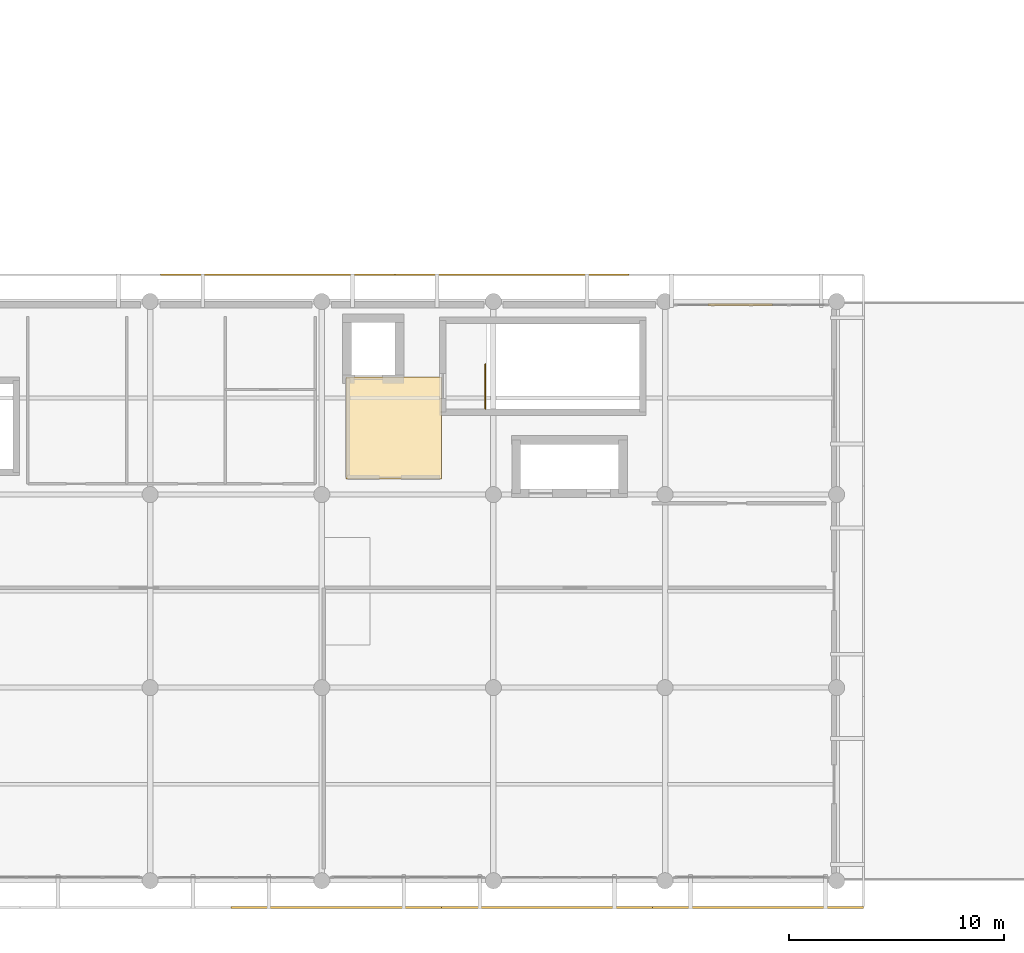
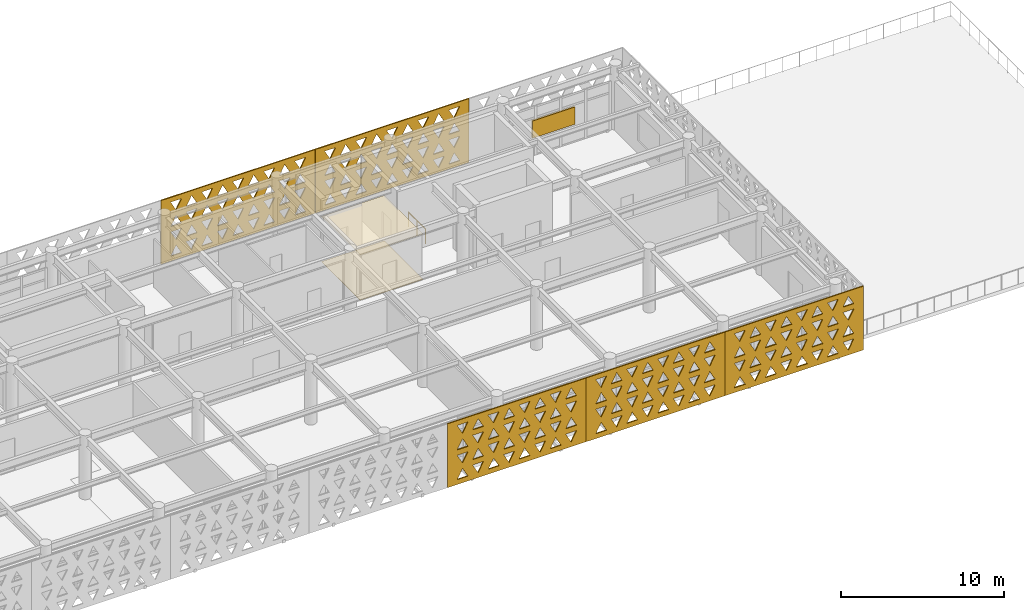
# One storey, part 25 of 26: 7 coverings, 1 railing, 1 shading device.
"""IFC4 building model written with IfcOpenShell, lengths in metres."""

from ifc_helpers import new_model, si_unit, direction, frame, origin, origin_2d, place, context, subcontext, project, spatial, polyline, rectangle, circle, outline, extrude, material, layer, layer_set, type_object, element, save


model = new_model("IFC4")

# Units and contexts
model_context = context("Model", 3, precision=1e-05, world=origin(), true_north=direction((0.0, 1.0)))
body_context = subcontext(model_context, "Body", "Model", "MODEL_VIEW")
ifc_project = project(units=[si_unit("LENGTHUNIT", "METRE"), si_unit("AREAUNIT", "SQUARE_METRE"), si_unit("VOLUMEUNIT", "CUBIC_METRE"), si_unit("PLANEANGLEUNIT", "RADIAN"), si_unit("MASSUNIT", "GRAM", prefix="KILO")], contexts=[model_context])

# Site, building, storey
site_placement = place(None, origin())
site = spatial("IfcSite", under=ifc_project, at=site_placement, CompositionType="ELEMENT")
building_placement = place(site_placement, origin())
building = spatial("IfcBuilding", under=site, at=building_placement, Name="Tlacozan Convention Centre", CompositionType="ELEMENT")
storey_placement = place(building_placement, frame((0.0, 0.0, 21.0)))
storey = spatial("IfcBuildingStorey", under=building, at=storey_placement, Name="L04", CompositionType="ELEMENT", Elevation=21.0)

# Covering
ifc_material_1 = material(Name="Perforated Acoustic Mineral Fibre Ceiling")
ifc_layer_1 = layer(ifc_material_1, 0.02490234375)
ifc_layer_set_1 = layer_set([ifc_layer_1], Name="Perforated Acoustic Mineral Fibre Ceiling")
covering_type_1 = type_object("IfcCoveringType", Name="Acoustic Mineral Fibre Ceiling 25", PredefinedType="CEILING", material=ifc_layer_set_1)
covering_1_placement = place(storey_placement, frame((0.0, 0.0, 3.39990234375)))
element("IfcCovering", 1, at=covering_1_placement, inside=storey, type_object=covering_type_1, Name="L04 Acoustic Ceiling L04-FFL-2", PredefinedType="CEILING", context=body_context, shape_type="SweptSolid", body=[
    extrude(outline(polyline([(73.1201171875, 18.719970703125), (77.580078125, 18.719970703125), (77.580078125, 23.47998046875), (73.1201171875, 23.47998046875), (73.1201171875, 18.719970703125)])), origin(), (0.0, 0.0, 1.0), 0.025146484375),
])

# Shading device
ifc_material_2 = material(Name="Dark Bronze Anodised Aluminium", Category="aluminium")
ifc_layer_2 = layer(ifc_material_2, 0.1201171875)
ifc_layer_set_2 = layer_set([ifc_layer_2], Name="Dark Bronze Anodised Aluminium")
shading_device_type = type_object("IfcShadingDeviceType", Name="Acoustic Plant Louvre Bank", PredefinedType="JALOUSIE", material=ifc_layer_set_2)
shading_device_placement = place(storey_placement, frame((91.5, 26.840087890625, 1.35009765625), z_axis=(0.0, 0.0, 1.0), x_axis=(1.0, 0.0, 0.0)))
element("IfcShadingDevice", 2, at=shading_device_placement, inside=storey, type_object=shading_device_type, Name="L04 Acoustic Plant Louvre 1", PredefinedType="JALOUSIE", context=body_context, shape_type="SweptSolid", body=[
    extrude(rectangle(XDim=3.0, YDim=0.1201171875, at=origin_2d()), origin(), (0.0, 0.0, 1.0), 1.300048828125),
])

# Covering
ifc_material_3 = material(Name="Polished Basalt Terrazzo Flooring", Category="masonry")
ifc_layer_3 = layer(ifc_material_3, 0.02001953125)
ifc_layer_set_3 = layer_set([ifc_layer_3], Name="Polished Basalt Terrazzo Flooring")
covering_type_2 = type_object("IfcCoveringType", Name="Polished Basalt Terrazzo Flooring 20", PredefinedType="FLOORING", material=ifc_layer_set_3)
covering_2_placement = place(storey_placement, origin())
element("IfcCovering", 3, at=covering_2_placement, inside=storey, type_object=covering_type_2, Name="L04 Terrazzo Flooring L04-FFL-2", PredefinedType="FLOORING", context=body_context, shape_type="SweptSolid", body=[
    extrude(outline(polyline([(73.1201171875, 18.719970703125), (77.580078125, 18.719970703125), (77.580078125, 23.47998046875), (73.1201171875, 23.47998046875), (73.1201171875, 18.719970703125)])), origin(), (0.0, 0.0, 1.0), 0.02001953125),
])

# Railing
ifc_material_4 = material(Name="Architectural Painted Galvanised Steel Railing", Category="steel")
railing_type = type_object("IfcRailingType", Name="Stair Well Guardrail 1100", PredefinedType="GUARDRAIL", material=ifc_material_4)
railing_placement = place(storey_placement, frame((79.6298828125, 22.0, 0.0)))
element("IfcRailing", 4, at=railing_placement, inside=storey, type_object=railing_type, Name="L04 ST-02 top well guard 1", PredefinedType="GUARDRAIL", context=body_context, shape_type="SweptSolid", body=[
    extrude(circle(Radius=0.02392578125, at=origin_2d()), frame((0.0, 0.0, 1.076171875), z_axis=(0.0, 1.0, 0.0), x_axis=(-1.0, 0.0, 0.0)), (0.0, 0.0, 1.0), 2.080078125),
    extrude(circle(Radius=0.02099609375, at=origin_2d()), origin(), (0.0, 0.0, 1.0), 1.052001953125),
    extrude(circle(Radius=0.02099609375, at=origin_2d()), frame((0.0, 1.0400390625, 0.0)), (0.0, 0.0, 1.0), 1.052001953125),
    extrude(circle(Radius=0.02099609375, at=origin_2d()), frame((0.0, 2.080078125, 0.0)), (0.0, 0.0, 1.0), 1.052001953125),
])

# Coverings
ifc_material_5 = material(Name="Toluca Fired Terracotta Masonry Solar Screen", Category="masonry")
ifc_layer_4 = layer(ifc_material_5, 0.080078125)
ifc_layer_set_4 = layer_set([ifc_layer_4], Name="Toluca Fired Terracotta Masonry Solar Screen")
covering_type_3 = type_object("IfcCoveringType", Name="Terracotta Triangle Solar Screen 80", PredefinedType="USERDEFINED", material=ifc_layer_set_4)
covering_3_placement = place(storey_placement, frame((67.761962890625, -1.25, -0.030029296875), z_axis=(0.0, 0.0, 1.0), x_axis=(1.0, 0.0, 0.0)))
element("IfcCovering", 5, at=covering_3_placement, inside=storey, type_object=covering_type_3, Name="L04 Terracotta Triangle Screen 84", ObjectType="SCREEN", PredefinedType="USERDEFINED", context=body_context, shape_type="SweptSolid", body=[
    extrude(outline(polyline([(0.0, 0.0), (9.825927734375, 0.0), (9.825927734375, 4.780029296875), (0.0, 4.780029296875), (0.0, 0.0)]), holes=[polyline([(0.677001953125, 0.360107421875), (1.448974609375, 0.360107421875), (1.06298828125, 1.074951171875), (0.677001953125, 0.360107421875)]), polyline([(1.77685546875, 1.074951171875), (2.549072265625, 1.074951171875), (2.1630859375, 0.360107421875), (1.77685546875, 1.074951171875)]), polyline([(2.876953125, 0.360107421875), (3.64892578125, 0.360107421875), (3.262939453125, 1.074951171875), (2.876953125, 0.360107421875)]), polyline([(3.97705078125, 1.074951171875), (4.7490234375, 1.074951171875), (4.363037109375, 0.360107421875), (3.97705078125, 1.074951171875)]), polyline([(5.076904296875, 0.360107421875), (5.848876953125, 0.360107421875), (5.462890625, 1.074951171875), (5.076904296875, 0.360107421875)]), polyline([(6.177001953125, 1.074951171875), (6.948974609375, 1.074951171875), (6.56298828125, 0.360107421875), (6.177001953125, 1.074951171875)]), polyline([(7.27685546875, 0.360107421875), (8.049072265625, 0.360107421875), (7.6630859375, 1.074951171875), (7.27685546875, 0.360107421875)]), polyline([(8.376953125, 1.074951171875), (9.14892578125, 1.074951171875), (8.762939453125, 0.360107421875), (8.376953125, 1.074951171875)]), polyline([(0.677001953125, 2.18994140625), (1.448974609375, 2.18994140625), (1.06298828125, 1.47509765625), (0.677001953125, 2.18994140625)]), polyline([(1.77685546875, 1.47509765625), (2.549072265625, 1.47509765625), (2.1630859375, 2.18994140625), (1.77685546875, 1.47509765625)]), polyline([(2.876953125, 2.18994140625), (3.64892578125, 2.18994140625), (3.262939453125, 1.47509765625), (2.876953125, 2.18994140625)]), polyline([(3.97705078125, 1.47509765625), (4.7490234375, 1.47509765625), (4.363037109375, 2.18994140625), (3.97705078125, 1.47509765625)]), polyline([(5.076904296875, 2.18994140625), (5.848876953125, 2.18994140625), (5.462890625, 1.47509765625), (5.076904296875, 2.18994140625)]), polyline([(6.177001953125, 1.47509765625), (6.948974609375, 1.47509765625), (6.56298828125, 2.18994140625), (6.177001953125, 1.47509765625)]), polyline([(7.27685546875, 2.18994140625), (8.049072265625, 2.18994140625), (7.6630859375, 1.47509765625), (7.27685546875, 2.18994140625)]), polyline([(8.376953125, 1.47509765625), (9.14892578125, 1.47509765625), (8.762939453125, 2.18994140625), (8.376953125, 1.47509765625)]), polyline([(0.677001953125, 2.590087890625), (1.448974609375, 2.590087890625), (1.06298828125, 3.304931640625), (0.677001953125, 2.590087890625)]), polyline([(1.77685546875, 3.304931640625), (2.549072265625, 3.304931640625), (2.1630859375, 2.590087890625), (1.77685546875, 3.304931640625)]), polyline([(2.876953125, 2.590087890625), (3.64892578125, 2.590087890625), (3.262939453125, 3.304931640625), (2.876953125, 2.590087890625)]), polyline([(3.97705078125, 3.304931640625), (4.7490234375, 3.304931640625), (4.363037109375, 2.590087890625), (3.97705078125, 3.304931640625)]), polyline([(5.076904296875, 2.590087890625), (5.848876953125, 2.590087890625), (5.462890625, 3.304931640625), (5.076904296875, 2.590087890625)]), polyline([(6.177001953125, 3.304931640625), (6.948974609375, 3.304931640625), (6.56298828125, 2.590087890625), (6.177001953125, 3.304931640625)]), polyline([(7.27685546875, 2.590087890625), (8.049072265625, 2.590087890625), (7.6630859375, 3.304931640625), (7.27685546875, 2.590087890625)]), polyline([(8.376953125, 3.304931640625), (9.14892578125, 3.304931640625), (8.762939453125, 2.590087890625), (8.376953125, 3.304931640625)]), polyline([(0.677001953125, 4.419921875), (1.448974609375, 4.419921875), (1.06298828125, 3.705078125), (0.677001953125, 4.419921875)]), polyline([(1.77685546875, 3.705078125), (2.549072265625, 3.705078125), (2.1630859375, 4.419921875), (1.77685546875, 3.705078125)]), polyline([(2.876953125, 4.419921875), (3.64892578125, 4.419921875), (3.262939453125, 3.705078125), (2.876953125, 4.419921875)]), polyline([(3.97705078125, 3.705078125), (4.7490234375, 3.705078125), (4.363037109375, 4.419921875), (3.97705078125, 3.705078125)]), polyline([(5.076904296875, 4.419921875), (5.848876953125, 4.419921875), (5.462890625, 3.705078125), (5.076904296875, 4.419921875)]), polyline([(6.177001953125, 3.705078125), (6.948974609375, 3.705078125), (6.56298828125, 4.419921875), (6.177001953125, 3.705078125)]), polyline([(7.27685546875, 4.419921875), (8.049072265625, 4.419921875), (7.6630859375, 3.705078125), (7.27685546875, 4.419921875)]), polyline([(8.376953125, 3.705078125), (9.14892578125, 3.705078125), (8.762939453125, 4.419921875), (8.376953125, 3.705078125)])]), frame((0.0, 0.0400390625, 0.0), z_axis=(0.0, -1.0, 0.0), x_axis=(1.0, 0.0, 0.0)), (0.0, 0.0, 1.0), 0.080078125),
])
covering_4_placement = place(storey_placement, frame((77.592041015625, -1.25, -0.030029296875), z_axis=(0.0, 0.0, 1.0), x_axis=(1.0, 0.0, 0.0)))
element("IfcCovering", 6, at=covering_4_placement, inside=storey, type_object=covering_type_3, Name="L04 Terracotta Triangle Screen 85", ObjectType="SCREEN", PredefinedType="USERDEFINED", context=body_context, shape_type="SweptSolid", body=[
    extrude(outline(polyline([(0.0, 0.0), (9.825927734375, 0.0), (9.825927734375, 4.780029296875), (0.0, 4.780029296875), (0.0, 0.0)]), holes=[polyline([(0.677001953125, 0.360107421875), (1.448974609375, 0.360107421875), (1.06298828125, 1.074951171875), (0.677001953125, 0.360107421875)]), polyline([(1.77685546875, 1.074951171875), (2.549072265625, 1.074951171875), (2.1630859375, 0.360107421875), (1.77685546875, 1.074951171875)]), polyline([(2.876953125, 0.360107421875), (3.64892578125, 0.360107421875), (3.262939453125, 1.074951171875), (2.876953125, 0.360107421875)]), polyline([(3.97705078125, 1.074951171875), (4.7490234375, 1.074951171875), (4.363037109375, 0.360107421875), (3.97705078125, 1.074951171875)]), polyline([(5.076904296875, 0.360107421875), (5.848876953125, 0.360107421875), (5.462890625, 1.074951171875), (5.076904296875, 0.360107421875)]), polyline([(6.177001953125, 1.074951171875), (6.948974609375, 1.074951171875), (6.56298828125, 0.360107421875), (6.177001953125, 1.074951171875)]), polyline([(7.27685546875, 0.360107421875), (8.049072265625, 0.360107421875), (7.6630859375, 1.074951171875), (7.27685546875, 0.360107421875)]), polyline([(8.376953125, 1.074951171875), (9.14892578125, 1.074951171875), (8.762939453125, 0.360107421875), (8.376953125, 1.074951171875)]), polyline([(0.677001953125, 2.18994140625), (1.448974609375, 2.18994140625), (1.06298828125, 1.47509765625), (0.677001953125, 2.18994140625)]), polyline([(1.77685546875, 1.47509765625), (2.549072265625, 1.47509765625), (2.1630859375, 2.18994140625), (1.77685546875, 1.47509765625)]), polyline([(2.876953125, 2.18994140625), (3.64892578125, 2.18994140625), (3.262939453125, 1.47509765625), (2.876953125, 2.18994140625)]), polyline([(3.97705078125, 1.47509765625), (4.7490234375, 1.47509765625), (4.363037109375, 2.18994140625), (3.97705078125, 1.47509765625)]), polyline([(5.076904296875, 2.18994140625), (5.848876953125, 2.18994140625), (5.462890625, 1.47509765625), (5.076904296875, 2.18994140625)]), polyline([(6.177001953125, 1.47509765625), (6.948974609375, 1.47509765625), (6.56298828125, 2.18994140625), (6.177001953125, 1.47509765625)]), polyline([(7.27685546875, 2.18994140625), (8.049072265625, 2.18994140625), (7.6630859375, 1.47509765625), (7.27685546875, 2.18994140625)]), polyline([(8.376953125, 1.47509765625), (9.14892578125, 1.47509765625), (8.762939453125, 2.18994140625), (8.376953125, 1.47509765625)]), polyline([(0.677001953125, 2.590087890625), (1.448974609375, 2.590087890625), (1.06298828125, 3.304931640625), (0.677001953125, 2.590087890625)]), polyline([(1.77685546875, 3.304931640625), (2.549072265625, 3.304931640625), (2.1630859375, 2.590087890625), (1.77685546875, 3.304931640625)]), polyline([(2.876953125, 2.590087890625), (3.64892578125, 2.590087890625), (3.262939453125, 3.304931640625), (2.876953125, 2.590087890625)]), polyline([(3.97705078125, 3.304931640625), (4.7490234375, 3.304931640625), (4.363037109375, 2.590087890625), (3.97705078125, 3.304931640625)]), polyline([(5.076904296875, 2.590087890625), (5.848876953125, 2.590087890625), (5.462890625, 3.304931640625), (5.076904296875, 2.590087890625)]), polyline([(6.177001953125, 3.304931640625), (6.948974609375, 3.304931640625), (6.56298828125, 2.590087890625), (6.177001953125, 3.304931640625)]), polyline([(7.27685546875, 2.590087890625), (8.049072265625, 2.590087890625), (7.6630859375, 3.304931640625), (7.27685546875, 2.590087890625)]), polyline([(8.376953125, 3.304931640625), (9.14892578125, 3.304931640625), (8.762939453125, 2.590087890625), (8.376953125, 3.304931640625)]), polyline([(0.677001953125, 4.419921875), (1.448974609375, 4.419921875), (1.06298828125, 3.705078125), (0.677001953125, 4.419921875)]), polyline([(1.77685546875, 3.705078125), (2.549072265625, 3.705078125), (2.1630859375, 4.419921875), (1.77685546875, 3.705078125)]), polyline([(2.876953125, 4.419921875), (3.64892578125, 4.419921875), (3.262939453125, 3.705078125), (2.876953125, 4.419921875)]), polyline([(3.97705078125, 3.705078125), (4.7490234375, 3.705078125), (4.363037109375, 4.419921875), (3.97705078125, 3.705078125)]), polyline([(5.076904296875, 4.419921875), (5.848876953125, 4.419921875), (5.462890625, 3.705078125), (5.076904296875, 4.419921875)]), polyline([(6.177001953125, 3.705078125), (6.948974609375, 3.705078125), (6.56298828125, 4.419921875), (6.177001953125, 3.705078125)]), polyline([(7.27685546875, 4.419921875), (8.049072265625, 4.419921875), (7.6630859375, 3.705078125), (7.27685546875, 4.419921875)]), polyline([(8.376953125, 3.705078125), (9.14892578125, 3.705078125), (8.762939453125, 4.419921875), (8.376953125, 3.705078125)])]), frame((0.0, 0.0400390625, 0.0), z_axis=(0.0, -1.0, 0.0), x_axis=(1.0, 0.0, 0.0)), (0.0, 0.0, 1.0), 0.080078125),
])
covering_5_placement = place(storey_placement, frame((87.422119140625, -1.25, -0.030029296875), z_axis=(0.0, 0.0, 1.0), x_axis=(1.0, 0.0, 0.0)))
element("IfcCovering", 7, at=covering_5_placement, inside=storey, type_object=covering_type_3, Name="L04 Terracotta Triangle Screen 86", ObjectType="SCREEN", PredefinedType="USERDEFINED", context=body_context, shape_type="SweptSolid", body=[
    extrude(outline(polyline([(0.0, 0.0), (9.825927734375, 0.0), (9.825927734375, 4.780029296875), (0.0, 4.780029296875), (0.0, 0.0)]), holes=[polyline([(0.677001953125, 0.360107421875), (1.448974609375, 0.360107421875), (1.06298828125, 1.074951171875), (0.677001953125, 0.360107421875)]), polyline([(1.77685546875, 1.074951171875), (2.549072265625, 1.074951171875), (2.1630859375, 0.360107421875), (1.77685546875, 1.074951171875)]), polyline([(2.876953125, 0.360107421875), (3.64892578125, 0.360107421875), (3.262939453125, 1.074951171875), (2.876953125, 0.360107421875)]), polyline([(3.97705078125, 1.074951171875), (4.7490234375, 1.074951171875), (4.363037109375, 0.360107421875), (3.97705078125, 1.074951171875)]), polyline([(5.076904296875, 0.360107421875), (5.848876953125, 0.360107421875), (5.462890625, 1.074951171875), (5.076904296875, 0.360107421875)]), polyline([(6.177001953125, 1.074951171875), (6.948974609375, 1.074951171875), (6.56298828125, 0.360107421875), (6.177001953125, 1.074951171875)]), polyline([(7.27685546875, 0.360107421875), (8.049072265625, 0.360107421875), (7.6630859375, 1.074951171875), (7.27685546875, 0.360107421875)]), polyline([(8.376953125, 1.074951171875), (9.14892578125, 1.074951171875), (8.762939453125, 0.360107421875), (8.376953125, 1.074951171875)]), polyline([(0.677001953125, 2.18994140625), (1.448974609375, 2.18994140625), (1.06298828125, 1.47509765625), (0.677001953125, 2.18994140625)]), polyline([(1.77685546875, 1.47509765625), (2.549072265625, 1.47509765625), (2.1630859375, 2.18994140625), (1.77685546875, 1.47509765625)]), polyline([(2.876953125, 2.18994140625), (3.64892578125, 2.18994140625), (3.262939453125, 1.47509765625), (2.876953125, 2.18994140625)]), polyline([(3.97705078125, 1.47509765625), (4.7490234375, 1.47509765625), (4.363037109375, 2.18994140625), (3.97705078125, 1.47509765625)]), polyline([(5.076904296875, 2.18994140625), (5.848876953125, 2.18994140625), (5.462890625, 1.47509765625), (5.076904296875, 2.18994140625)]), polyline([(6.177001953125, 1.47509765625), (6.948974609375, 1.47509765625), (6.56298828125, 2.18994140625), (6.177001953125, 1.47509765625)]), polyline([(7.27685546875, 2.18994140625), (8.049072265625, 2.18994140625), (7.6630859375, 1.47509765625), (7.27685546875, 2.18994140625)]), polyline([(8.376953125, 1.47509765625), (9.14892578125, 1.47509765625), (8.762939453125, 2.18994140625), (8.376953125, 1.47509765625)]), polyline([(0.677001953125, 2.590087890625), (1.448974609375, 2.590087890625), (1.06298828125, 3.304931640625), (0.677001953125, 2.590087890625)]), polyline([(1.77685546875, 3.304931640625), (2.549072265625, 3.304931640625), (2.1630859375, 2.590087890625), (1.77685546875, 3.304931640625)]), polyline([(2.876953125, 2.590087890625), (3.64892578125, 2.590087890625), (3.262939453125, 3.304931640625), (2.876953125, 2.590087890625)]), polyline([(3.97705078125, 3.304931640625), (4.7490234375, 3.304931640625), (4.363037109375, 2.590087890625), (3.97705078125, 3.304931640625)]), polyline([(5.076904296875, 2.590087890625), (5.848876953125, 2.590087890625), (5.462890625, 3.304931640625), (5.076904296875, 2.590087890625)]), polyline([(6.177001953125, 3.304931640625), (6.948974609375, 3.304931640625), (6.56298828125, 2.590087890625), (6.177001953125, 3.304931640625)]), polyline([(7.27685546875, 2.590087890625), (8.049072265625, 2.590087890625), (7.6630859375, 3.304931640625), (7.27685546875, 2.590087890625)]), polyline([(8.376953125, 3.304931640625), (9.14892578125, 3.304931640625), (8.762939453125, 2.590087890625), (8.376953125, 3.304931640625)]), polyline([(0.677001953125, 4.419921875), (1.448974609375, 4.419921875), (1.06298828125, 3.705078125), (0.677001953125, 4.419921875)]), polyline([(1.77685546875, 3.705078125), (2.549072265625, 3.705078125), (2.1630859375, 4.419921875), (1.77685546875, 3.705078125)]), polyline([(2.876953125, 4.419921875), (3.64892578125, 4.419921875), (3.262939453125, 3.705078125), (2.876953125, 4.419921875)]), polyline([(3.97705078125, 3.705078125), (4.7490234375, 3.705078125), (4.363037109375, 4.419921875), (3.97705078125, 3.705078125)]), polyline([(5.076904296875, 4.419921875), (5.848876953125, 4.419921875), (5.462890625, 3.705078125), (5.076904296875, 4.419921875)]), polyline([(6.177001953125, 3.705078125), (6.948974609375, 3.705078125), (6.56298828125, 4.419921875), (6.177001953125, 3.705078125)]), polyline([(7.27685546875, 4.419921875), (8.049072265625, 4.419921875), (7.6630859375, 3.705078125), (7.27685546875, 4.419921875)]), polyline([(8.376953125, 3.705078125), (9.14892578125, 3.705078125), (8.762939453125, 4.419921875), (8.376953125, 3.705078125)])]), frame((0.0, 0.0400390625, 0.0), z_axis=(0.0, -1.0, 0.0), x_axis=(1.0, 0.0, 0.0)), (0.0, 0.0, 1.0), 0.080078125),
])
covering_6_placement = place(storey_placement, frame((64.4853515625, 28.25, -0.030029296875), z_axis=(0.0, 0.0, 1.0), x_axis=(1.0, 0.0, 0.0)))
element("IfcCovering", 8, at=covering_6_placement, inside=storey, type_object=covering_type_3, Name="L04 Terracotta Triangle Screen 99", ObjectType="SCREEN", PredefinedType="USERDEFINED", context=body_context, shape_type="SweptSolid", body=[
    extrude(outline(polyline([(0.0, 0.0), (10.918212890625, 0.0), (10.918212890625, 4.780029296875), (0.0, 4.780029296875), (0.0, 0.0)]), holes=[polyline([(0.673095703125, 0.360107421875), (1.445068359375, 0.360107421875), (1.05908203125, 1.074951171875), (0.673095703125, 0.360107421875)]), polyline([(1.773193359375, 1.074951171875), (2.545166015625, 1.074951171875), (2.1591796875, 0.360107421875), (1.773193359375, 1.074951171875)]), polyline([(2.873046875, 0.360107421875), (3.64501953125, 0.360107421875), (3.259033203125, 1.074951171875), (2.873046875, 0.360107421875)]), polyline([(3.97314453125, 1.074951171875), (4.7451171875, 1.074951171875), (4.359130859375, 0.360107421875), (3.97314453125, 1.074951171875)]), polyline([(5.072998046875, 0.360107421875), (5.84521484375, 0.360107421875), (5.458984375, 1.074951171875), (5.072998046875, 0.360107421875)]), polyline([(6.173095703125, 1.074951171875), (6.945068359375, 1.074951171875), (6.55908203125, 0.360107421875), (6.173095703125, 1.074951171875)]), polyline([(7.273193359375, 0.360107421875), (8.045166015625, 0.360107421875), (7.6591796875, 1.074951171875), (7.273193359375, 0.360107421875)]), polyline([(8.373046875, 1.074951171875), (9.14501953125, 1.074951171875), (8.759033203125, 0.360107421875), (8.373046875, 1.074951171875)]), polyline([(9.47314453125, 0.360107421875), (10.2451171875, 0.360107421875), (9.859130859375, 1.074951171875), (9.47314453125, 0.360107421875)]), polyline([(0.673095703125, 2.18994140625), (1.445068359375, 2.18994140625), (1.05908203125, 1.47509765625), (0.673095703125, 2.18994140625)]), polyline([(1.773193359375, 1.47509765625), (2.545166015625, 1.47509765625), (2.1591796875, 2.18994140625), (1.773193359375, 1.47509765625)]), polyline([(2.873046875, 2.18994140625), (3.64501953125, 2.18994140625), (3.259033203125, 1.47509765625), (2.873046875, 2.18994140625)]), polyline([(3.97314453125, 1.47509765625), (4.7451171875, 1.47509765625), (4.359130859375, 2.18994140625), (3.97314453125, 1.47509765625)]), polyline([(5.072998046875, 2.18994140625), (5.84521484375, 2.18994140625), (5.458984375, 1.47509765625), (5.072998046875, 2.18994140625)]), polyline([(6.173095703125, 1.47509765625), (6.945068359375, 1.47509765625), (6.55908203125, 2.18994140625), (6.173095703125, 1.47509765625)]), polyline([(7.273193359375, 2.18994140625), (8.045166015625, 2.18994140625), (7.6591796875, 1.47509765625), (7.273193359375, 2.18994140625)]), polyline([(8.373046875, 1.47509765625), (9.14501953125, 1.47509765625), (8.759033203125, 2.18994140625), (8.373046875, 1.47509765625)]), polyline([(9.47314453125, 2.18994140625), (10.2451171875, 2.18994140625), (9.859130859375, 1.47509765625), (9.47314453125, 2.18994140625)]), polyline([(0.673095703125, 2.590087890625), (1.445068359375, 2.590087890625), (1.05908203125, 3.304931640625), (0.673095703125, 2.590087890625)]), polyline([(1.773193359375, 3.304931640625), (2.545166015625, 3.304931640625), (2.1591796875, 2.590087890625), (1.773193359375, 3.304931640625)]), polyline([(2.873046875, 2.590087890625), (3.64501953125, 2.590087890625), (3.259033203125, 3.304931640625), (2.873046875, 2.590087890625)]), polyline([(3.97314453125, 3.304931640625), (4.7451171875, 3.304931640625), (4.359130859375, 2.590087890625), (3.97314453125, 3.304931640625)]), polyline([(5.072998046875, 2.590087890625), (5.84521484375, 2.590087890625), (5.458984375, 3.304931640625), (5.072998046875, 2.590087890625)]), polyline([(6.173095703125, 3.304931640625), (6.945068359375, 3.304931640625), (6.55908203125, 2.590087890625), (6.173095703125, 3.304931640625)]), polyline([(7.273193359375, 2.590087890625), (8.045166015625, 2.590087890625), (7.6591796875, 3.304931640625), (7.273193359375, 2.590087890625)]), polyline([(8.373046875, 3.304931640625), (9.14501953125, 3.304931640625), (8.759033203125, 2.590087890625), (8.373046875, 3.304931640625)]), polyline([(9.47314453125, 2.590087890625), (10.2451171875, 2.590087890625), (9.859130859375, 3.304931640625), (9.47314453125, 2.590087890625)]), polyline([(0.673095703125, 4.419921875), (1.445068359375, 4.419921875), (1.05908203125, 3.705078125), (0.673095703125, 4.419921875)]), polyline([(1.773193359375, 3.705078125), (2.545166015625, 3.705078125), (2.1591796875, 4.419921875), (1.773193359375, 3.705078125)]), polyline([(2.873046875, 4.419921875), (3.64501953125, 4.419921875), (3.259033203125, 3.705078125), (2.873046875, 4.419921875)]), polyline([(3.97314453125, 3.705078125), (4.7451171875, 3.705078125), (4.359130859375, 4.419921875), (3.97314453125, 3.705078125)]), polyline([(5.072998046875, 4.419921875), (5.84521484375, 4.419921875), (5.458984375, 3.705078125), (5.072998046875, 4.419921875)]), polyline([(6.173095703125, 3.705078125), (6.945068359375, 3.705078125), (6.55908203125, 4.419921875), (6.173095703125, 3.705078125)]), polyline([(7.273193359375, 4.419921875), (8.045166015625, 4.419921875), (7.6591796875, 3.705078125), (7.273193359375, 4.419921875)]), polyline([(8.373046875, 3.705078125), (9.14501953125, 3.705078125), (8.759033203125, 4.419921875), (8.373046875, 3.705078125)]), polyline([(9.47314453125, 4.419921875), (10.2451171875, 4.419921875), (9.859130859375, 3.705078125), (9.47314453125, 4.419921875)])]), frame((0.0, 0.0400390625, 0.0), z_axis=(0.0, -1.0, 0.0), x_axis=(1.0, 0.0, 0.0)), (0.0, 0.0, 1.0), 0.080078125),
])
covering_7_placement = place(storey_placement, frame((75.40771484375, 28.25, -0.030029296875), z_axis=(0.0, 0.0, 1.0), x_axis=(1.0, 0.0, 0.0)))
element("IfcCovering", 9, at=covering_7_placement, inside=storey, type_object=covering_type_3, Name="L04 Terracotta Triangle Screen 100", ObjectType="SCREEN", PredefinedType="USERDEFINED", context=body_context, shape_type="SweptSolid", body=[
    extrude(outline(polyline([(0.0, 0.0), (10.91796875, 0.0), (10.91796875, 4.780029296875), (0.0, 4.780029296875), (0.0, 0.0)]), holes=[polyline([(0.6728515625, 0.360107421875), (1.445068359375, 0.360107421875), (1.05908203125, 1.074951171875), (0.6728515625, 0.360107421875)]), polyline([(1.77294921875, 1.074951171875), (2.544921875, 1.074951171875), (2.158935546875, 0.360107421875), (1.77294921875, 1.074951171875)]), polyline([(2.873046875, 0.360107421875), (3.64501953125, 0.360107421875), (3.259033203125, 1.074951171875), (2.873046875, 0.360107421875)]), polyline([(3.972900390625, 1.074951171875), (4.7451171875, 1.074951171875), (4.35888671875, 0.360107421875), (3.972900390625, 1.074951171875)]), polyline([(5.072998046875, 0.360107421875), (5.844970703125, 0.360107421875), (5.458984375, 1.074951171875), (5.072998046875, 0.360107421875)]), polyline([(6.1728515625, 1.074951171875), (6.945068359375, 1.074951171875), (6.55908203125, 0.360107421875), (6.1728515625, 1.074951171875)]), polyline([(7.27294921875, 0.360107421875), (8.044921875, 0.360107421875), (7.658935546875, 1.074951171875), (7.27294921875, 0.360107421875)]), polyline([(8.373046875, 1.074951171875), (9.14501953125, 1.074951171875), (8.759033203125, 0.360107421875), (8.373046875, 1.074951171875)]), polyline([(9.472900390625, 0.360107421875), (10.2451171875, 0.360107421875), (9.85888671875, 1.074951171875), (9.472900390625, 0.360107421875)]), polyline([(0.6728515625, 2.18994140625), (1.445068359375, 2.18994140625), (1.05908203125, 1.47509765625), (0.6728515625, 2.18994140625)]), polyline([(1.77294921875, 1.47509765625), (2.544921875, 1.47509765625), (2.158935546875, 2.18994140625), (1.77294921875, 1.47509765625)]), polyline([(2.873046875, 2.18994140625), (3.64501953125, 2.18994140625), (3.259033203125, 1.47509765625), (2.873046875, 2.18994140625)]), polyline([(3.972900390625, 1.47509765625), (4.7451171875, 1.47509765625), (4.35888671875, 2.18994140625), (3.972900390625, 1.47509765625)]), polyline([(5.072998046875, 2.18994140625), (5.844970703125, 2.18994140625), (5.458984375, 1.47509765625), (5.072998046875, 2.18994140625)]), polyline([(6.1728515625, 1.47509765625), (6.945068359375, 1.47509765625), (6.55908203125, 2.18994140625), (6.1728515625, 1.47509765625)]), polyline([(7.27294921875, 2.18994140625), (8.044921875, 2.18994140625), (7.658935546875, 1.47509765625), (7.27294921875, 2.18994140625)]), polyline([(8.373046875, 1.47509765625), (9.14501953125, 1.47509765625), (8.759033203125, 2.18994140625), (8.373046875, 1.47509765625)]), polyline([(9.472900390625, 2.18994140625), (10.2451171875, 2.18994140625), (9.85888671875, 1.47509765625), (9.472900390625, 2.18994140625)]), polyline([(0.6728515625, 2.590087890625), (1.445068359375, 2.590087890625), (1.05908203125, 3.304931640625), (0.6728515625, 2.590087890625)]), polyline([(1.77294921875, 3.304931640625), (2.544921875, 3.304931640625), (2.158935546875, 2.590087890625), (1.77294921875, 3.304931640625)]), polyline([(2.873046875, 2.590087890625), (3.64501953125, 2.590087890625), (3.259033203125, 3.304931640625), (2.873046875, 2.590087890625)]), polyline([(3.972900390625, 3.304931640625), (4.7451171875, 3.304931640625), (4.35888671875, 2.590087890625), (3.972900390625, 3.304931640625)]), polyline([(5.072998046875, 2.590087890625), (5.844970703125, 2.590087890625), (5.458984375, 3.304931640625), (5.072998046875, 2.590087890625)]), polyline([(6.1728515625, 3.304931640625), (6.945068359375, 3.304931640625), (6.55908203125, 2.590087890625), (6.1728515625, 3.304931640625)]), polyline([(7.27294921875, 2.590087890625), (8.044921875, 2.590087890625), (7.658935546875, 3.304931640625), (7.27294921875, 2.590087890625)]), polyline([(8.373046875, 3.304931640625), (9.14501953125, 3.304931640625), (8.759033203125, 2.590087890625), (8.373046875, 3.304931640625)]), polyline([(9.472900390625, 2.590087890625), (10.2451171875, 2.590087890625), (9.85888671875, 3.304931640625), (9.472900390625, 2.590087890625)]), polyline([(0.6728515625, 4.419921875), (1.445068359375, 4.419921875), (1.05908203125, 3.705078125), (0.6728515625, 4.419921875)]), polyline([(1.77294921875, 3.705078125), (2.544921875, 3.705078125), (2.158935546875, 4.419921875), (1.77294921875, 3.705078125)]), polyline([(2.873046875, 4.419921875), (3.64501953125, 4.419921875), (3.259033203125, 3.705078125), (2.873046875, 4.419921875)]), polyline([(3.972900390625, 3.705078125), (4.7451171875, 3.705078125), (4.35888671875, 4.419921875), (3.972900390625, 3.705078125)]), polyline([(5.072998046875, 4.419921875), (5.844970703125, 4.419921875), (5.458984375, 3.705078125), (5.072998046875, 4.419921875)]), polyline([(6.1728515625, 3.705078125), (6.945068359375, 3.705078125), (6.55908203125, 4.419921875), (6.1728515625, 3.705078125)]), polyline([(7.27294921875, 4.419921875), (8.044921875, 4.419921875), (7.658935546875, 3.705078125), (7.27294921875, 4.419921875)]), polyline([(8.373046875, 3.705078125), (9.14501953125, 3.705078125), (8.759033203125, 4.419921875), (8.373046875, 3.705078125)]), polyline([(9.472900390625, 4.419921875), (10.2451171875, 4.419921875), (9.85888671875, 3.705078125), (9.472900390625, 4.419921875)])]), frame((0.0, 0.0400390625, 0.0), z_axis=(0.0, -1.0, 0.0), x_axis=(1.0, 0.0, 0.0)), (0.0, 0.0, 1.0), 0.080078125),
])

save(model, "model.ifc")
